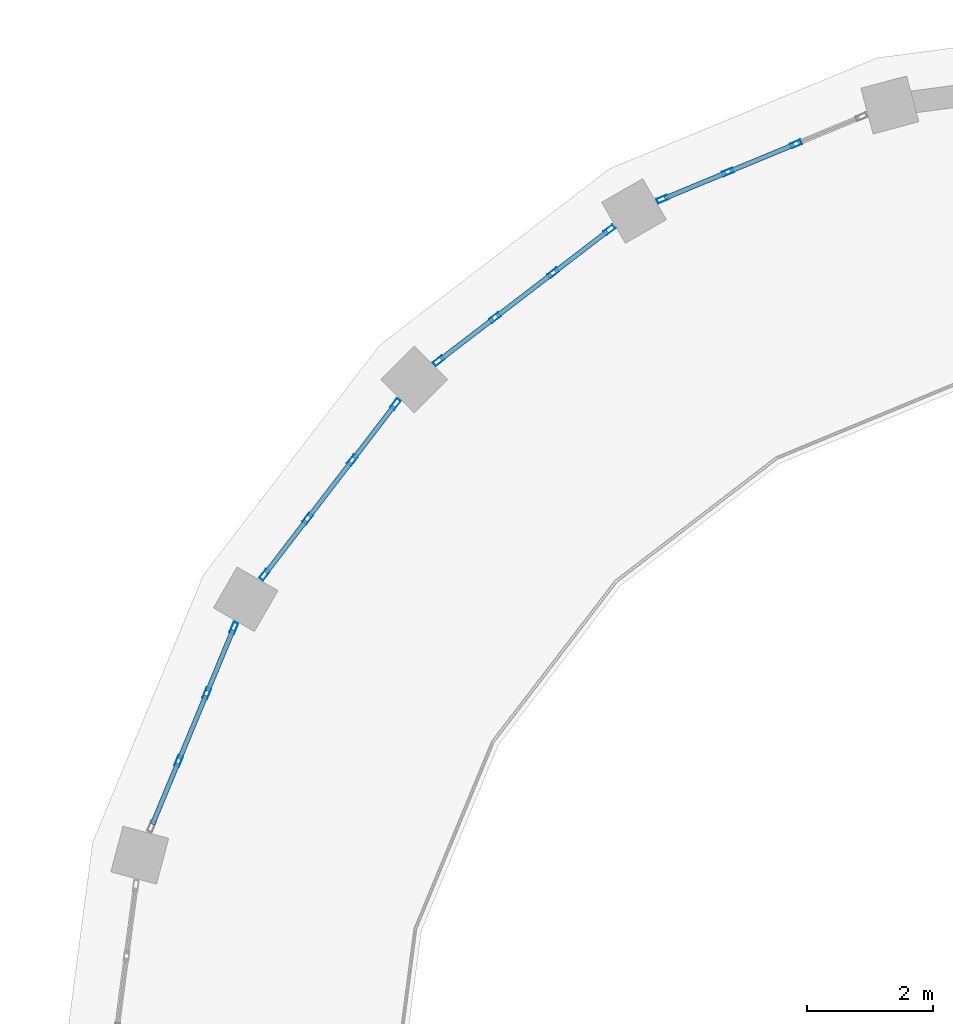
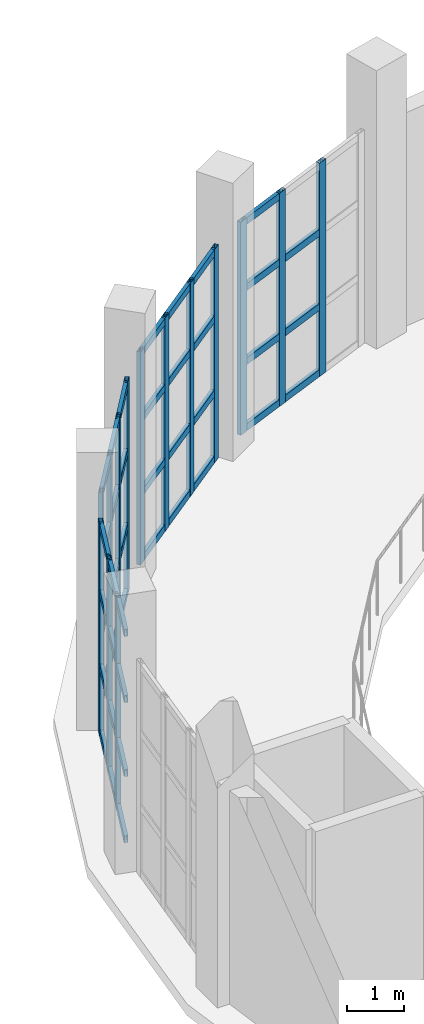
# One storey, part 29 of 59: 57 members, 4 elements without a shape of their own.
"""IFC4 building model written with IfcOpenShell, lengths in metres."""

import ifcopenshell
import ifcopenshell.guid

model = None  # the IFC model being written
_history = None  # IfcOwnerHistory: only IFC2X3 demands one
_inside = {}  # id of a spatial element -> (the spatial element, [elements in it])
_under = {}  # id of a project, library or spatial element -> (it, [spatial elements below it])
_declared = {}  # id of a project -> (the project, [libraries it declares])
_typed = {}  # id of a type object -> (the type object, [elements of that type])
_made_of = {}  # id of a material, layer set ... -> (it, [elements and type objects made of it])


def new_model(schema):
    """Start an empty IFC model of exactly this schema.

    Asked for "IFC4X3", IfcOpenShell would pick the latest addendum, in which some entities
    have other attributes; the version numbers below select the first issue.
    IFC2X3 requires an IfcOwnerHistory on every rooted entity: one is made here for all.
    """
    global model, _history
    if schema == "IFC4X3":
        model = ifcopenshell.file(schema_version=(4, 3, 0, 0))
    else:
        model = ifcopenshell.file(schema=schema)
    _inside.clear()
    _under.clear()
    _declared.clear()
    _typed.clear()
    _made_of.clear()
    _history = None
    if model.schema == "IFC2X3":
        org = make("IfcOrganization", Name="unknown")
        user = make(
            "IfcPersonAndOrganization",
            ThePerson=make("IfcPerson", FamilyName="unknown"),
            TheOrganization=org,
        )
        app = make(
            "IfcApplication",
            ApplicationDeveloper=org,
            Version="unknown",
            ApplicationFullName="unknown",
            ApplicationIdentifier="unknown",
        )
        _history = make(
            "IfcOwnerHistory",
            OwningUser=user,
            OwningApplication=app,
            ChangeAction="ADDED",
            CreationDate=0,
        )
    return model


def make(cls, **values):
    """One entity of the class cls with the attributes given. An attribute that is None is left unset."""
    return model.create_entity(
        cls, **{name: value for name, value in values.items() if value is not None}
    )


def rooted(cls, **values):
    """An entity with a GlobalId (a new one), such as an element, a storey or a relation."""
    return make(cls, GlobalId=ifcopenshell.guid.new(), OwnerHistory=_history, **values)


def si_unit(unit_type, name, prefix=None):
    """IfcSIUnit, for example si_unit("LENGTHUNIT", "METRE", prefix="MILLI")."""
    return make("IfcSIUnit", UnitType=unit_type, Prefix=prefix, Name=name)


def assignment(units):
    """IfcUnitAssignment: the units of a project."""
    return None if units is None else make("IfcUnitAssignment", Units=units)


def point(xyz):
    """IfcCartesianPoint."""
    return None if xyz is None else make("IfcCartesianPoint", Coordinates=xyz)


def direction(xyz):
    """IfcDirection."""
    return None if xyz is None else make("IfcDirection", DirectionRatios=xyz)


def frame(location, z_axis=None, x_axis=None):
    """IfcAxis2Placement3D, a coordinate frame: its origin and axes. An axis left out is left unset."""
    return make(
        "IfcAxis2Placement3D",
        Location=point(location),
        Axis=direction(z_axis),
        RefDirection=direction(x_axis),
    )


def frame_2d(location, x_axis=None):
    """IfcAxis2Placement2D, a coordinate frame in the plane: its origin and x axis."""
    return make(
        "IfcAxis2Placement2D", Location=point(location), RefDirection=direction(x_axis)
    )


def origin():
    """The frame at (0, 0, 0) with its axes left unset."""
    return frame((0.0, 0.0, 0.0))


def origin_2d():
    """The frame at (0, 0) in the plane with its x axis left unset."""
    return frame_2d((0.0, 0.0))


def place(relative_to, where):
    """IfcLocalPlacement: puts the frame where relative to a parent placement (None: the world)."""
    return make(
        "IfcLocalPlacement", PlacementRelTo=relative_to, RelativePlacement=where
    )


def context(
    kind, dimensions, precision=None, world=None, true_north=None, identifier=None
):
    """IfcGeometricRepresentationContext, for example the 3D "Model" context."""
    return make(
        "IfcGeometricRepresentationContext",
        ContextIdentifier=identifier,
        ContextType=kind,
        CoordinateSpaceDimension=dimensions,
        Precision=precision,
        WorldCoordinateSystem=world,
        TrueNorth=true_north,
    )


def subcontext(parent, identifier, kind, view, scale=None):
    """IfcGeometricRepresentationSubContext, for example "Body" below "Model"."""
    return make(
        "IfcGeometricRepresentationSubContext",
        ContextIdentifier=identifier,
        ContextType=kind,
        ParentContext=parent,
        TargetScale=scale,
        TargetView=view,
    )


def project(units=None, contexts=None):
    """IfcProject with its units and contexts."""
    return rooted(
        "IfcProject",
        Name="project",
        RepresentationContexts=contexts,
        UnitsInContext=assignment(units),
    )


def spatial(cls, under=None, at=None, **own):
    """A site, building, storey or space (cls), placed at a placement, below another one or the project."""
    s = rooted(cls, ObjectPlacement=at, **own)
    if under is not None:
        _under.setdefault(under.id(), (under, []))[1].append(s)
    return s


def profile(cls, at=None, kind="AREA", **sizes):
    """A parametric profile (cls). Its sizes go by their IFC names, for example OverallWidth=200.0."""
    return make(cls, ProfileType=kind, Position=at, **sizes)


def hollow_rectangle(**sizes):
    """IfcRectangleHollowProfileDef."""
    return profile("IfcRectangleHollowProfileDef", **sizes)


def extrude(swept, where, along, depth):
    """IfcExtrudedAreaSolid: the profile swept, set in the frame where, extruded along a direction by depth."""
    return make(
        "IfcExtrudedAreaSolid",
        SweptArea=swept,
        Position=where,
        ExtrudedDirection=direction(along),
        Depth=depth,
    )


def shape(context_of_items, identifier, shape_type, items):
    """IfcShapeRepresentation: the items that make up one representation, for example the "Body"."""
    return make(
        "IfcShapeRepresentation",
        ContextOfItems=context_of_items,
        RepresentationIdentifier=identifier,
        RepresentationType=shape_type,
        Items=items,
    )


def material(Name=None, Category=None):
    """IfcMaterial."""
    return make("IfcMaterial", Name=Name, Category=Category)


def layer(
    of_material, thickness, ventilated=None, Name=None, Category=None, Priority=None
):
    """IfcMaterialLayer: one layer of a wall or slab, of a material (None: an air gap)."""
    return make(
        "IfcMaterialLayer",
        Material=of_material,
        LayerThickness=thickness,
        IsVentilated=ventilated,
        Name=Name,
        Category=Category,
        Priority=Priority,
    )


def layer_set(layers, Name=None):
    """IfcMaterialLayerSet."""
    return make("IfcMaterialLayerSet", MaterialLayers=layers, LayerSetName=Name)


def material_profile(
    of_material, cross_section, Name=None, Category=None, Priority=None
):
    """IfcMaterialProfile: a cross section and its material."""
    return make(
        "IfcMaterialProfile",
        Name=Name,
        Material=of_material,
        Profile=cross_section,
        Priority=Priority,
        Category=Category,
    )


def profile_set(profiles, Name=None, composite=None):
    """IfcMaterialProfileSet."""
    return make(
        "IfcMaterialProfileSet",
        Name=Name,
        MaterialProfiles=profiles,
        CompositeProfile=composite,
    )


def made_of(thing, what):
    """Note that an element or type object is made of a material, layer set ...; save() writes the relation."""
    if what is not None:
        _made_of.setdefault(what.id(), (what, []))[1].append(thing)
    return thing


def type_object(cls, material=None, **own):
    """A type object (cls), such as IfcWallType, which elements share."""
    return made_of(rooted(cls, **own), material)


def element(
    cls,
    number,
    at=None,
    inside=None,
    cuts=None,
    type_object=None,
    material=None,
    context=None,
    identifier="Body",
    shape_type=None,
    held_by="IfcProductDefinitionShape",
    body=None,
    shapes=None,
    **own,
):
    """One element of the class cls, such as IfcWall. Its Tag is "e" and its number.

    at: its placement. inside: the storey or other place that contains it. cuts: it is an
    opening in that element (IfcRelVoidsElement). A single representation is given by context,
    identifier, shape_type and body (its items); several are given by shapes. held_by: the class
    of the entity that holds the representations. save() writes the other relations.
    """
    e = rooted(cls, Tag="e%d" % number, ObjectPlacement=at, **own)
    if body is not None:
        shapes = [shape(context, identifier, shape_type, body)]
    if shapes is not None:
        e.Representation = make(held_by, Representations=shapes)
    if inside is not None:
        _inside.setdefault(inside.id(), (inside, []))[1].append(e)
    if cuts is not None:
        rooted(
            "IfcRelVoidsElement", RelatingBuildingElement=cuts, RelatedOpeningElement=e
        )
    if type_object is not None:
        _typed.setdefault(type_object.id(), (type_object, []))[1].append(e)
    return made_of(e, material)


def aggregate(whole, parts):
    """IfcRelAggregates: a whole, such as a stair, and the parts it consists of."""
    return rooted("IfcRelAggregates", RelatingObject=whole, RelatedObjects=parts)


def save(model, path):
    """Write the relations noted so far, then the file.

    IfcRelAggregates (storeys below a building ...), IfcRelContainedInSpatialStructure (elements
    in a storey), IfcRelDefinesByType, IfcRelAssociatesMaterial and IfcRelDeclares: one each for
    every whole, place, type object, material and project.
    """
    for whole, parts in _under.values():
        aggregate(whole, parts)
    for where, things in _inside.values():
        rooted(
            "IfcRelContainedInSpatialStructure",
            RelatedElements=things,
            RelatingStructure=where,
        )
    for kind, things in _typed.values():
        rooted("IfcRelDefinesByType", RelatedObjects=things, RelatingType=kind)
    for what, things in _made_of.values():
        rooted("IfcRelAssociatesMaterial", RelatedObjects=things, RelatingMaterial=what)
    for by, libraries in _declared.values():
        rooted("IfcRelDeclares", RelatingContext=by, RelatedDefinitions=libraries)
    model.write(path)


model = new_model("IFC4")

# Units and contexts
model_context = context("Model", 3, precision=1e-05, world=origin(), true_north=direction((0.0, 1.0)))
body_context = subcontext(model_context, "Body", "Model", "MODEL_VIEW")
ifc_project = project(units=[si_unit("LENGTHUNIT", "METRE"), si_unit("AREAUNIT", "SQUARE_METRE"), si_unit("VOLUMEUNIT", "CUBIC_METRE"), si_unit("PLANEANGLEUNIT", "RADIAN"), si_unit("MASSUNIT", "GRAM", prefix="KILO")], contexts=[model_context])

# Site, building, storey
site_placement = place(None, origin())
site = spatial("IfcSite", under=ifc_project, at=site_placement, CompositionType="ELEMENT")
building_placement = place(site_placement, origin())
building = spatial("IfcBuilding", under=site, at=building_placement, Name="Kandorven Conservatory and Botanical Research Centre", CompositionType="ELEMENT")
storey_placement = place(building_placement, frame((0.0, 0.0, 4.800048828125)))
storey = spatial("IfcBuildingStorey", under=building, at=storey_placement, Name="L01", CompositionType="ELEMENT", Elevation=4.800048828125)

# Curtain wall, members
ifc_material_1 = material(Name="Bronze anodised thermally broken aluminium", Category="aluminium")
ifc_layer = layer(ifc_material_1, 0.179931640625)
ifc_layer_set = layer_set([ifc_layer], Name="Bronze anodised thermally broken aluminium")
curtain_wall_type = type_object("IfcCurtainWallType", Name="CW_Clerestory", PredefinedType="USERDEFINED", material=ifc_layer_set)
curtain_wall_1_placement = place(storey_placement, origin())
curtain_wall_1 = element("IfcCurtainWall", 1, at=curtain_wall_1_placement, inside=storey, type_object=curtain_wall_type, Name="Conservatory drum clerestory glazing CW-DRUM-L01-08", ObjectType="CLERESTORY GLAZING", PredefinedType="USERDEFINED")
ifc_material_2 = material(Name="Bronze anodised thermally broken aluminium", Category="aluminium")
ifc_material_profile_1 = material_profile(ifc_material_2, hollow_rectangle(XDim=0.080078125, YDim=0.179931640625, WallThickness=0.006103515625, at=origin_2d()))
ifc_profile_set_1 = profile_set([ifc_material_profile_1], Name="Bronze anodised thermally broken aluminium")
member_type_1 = type_object("IfcMemberType", Name="CW_Mullion", PredefinedType="MULLION", material=ifc_profile_set_1)
member_1_placement = place(storey_placement, frame((81.754150390625, 63.43408203125, 0.0), z_axis=(0.0, 0.0, 1.0), x_axis=(0.382668753353, -0.92388561262, 0.0)))
member_1 = element("IfcMember", 2, at=member_1_placement, type_object=member_type_1, Name="CW-02 mullion 2", PredefinedType="MULLION", context=body_context, shape_type="SweptSolid", body=[
    extrude(hollow_rectangle(XDim=0.080078125, YDim=0.179931640625, WallThickness=0.006103515625, at=origin_2d()), origin(), (0.0, 0.0, 1.0), 4.599853515625),
])
member_2_placement = place(storey_placement, frame((80.6787109375, 62.988525390625, 0.0), z_axis=(0.0, 0.0, 1.0), x_axis=(0.382668753353, -0.92388561262, 0.0)))
member_2 = element("IfcMember", 3, at=member_2_placement, type_object=member_type_1, Name="CW-02 mullion 3", PredefinedType="MULLION", context=body_context, shape_type="SweptSolid", body=[
    extrude(hollow_rectangle(XDim=0.080078125, YDim=0.179931640625, WallThickness=0.006103515625, at=origin_2d()), origin(), (0.0, 0.0, 1.0), 4.599853515625),
])
member_3_placement = place(storey_placement, frame((79.64013671875, 62.558349609375, 0.0), z_axis=(0.0, 0.0, 1.0), x_axis=(0.382668753353, -0.92388561262, 0.0)))
member_3 = element("IfcMember", 4, at=member_3_placement, type_object=member_type_1, Name="CW-02 mullion 4", PredefinedType="MULLION", context=body_context, shape_type="SweptSolid", body=[
    extrude(hollow_rectangle(XDim=0.080078125, YDim=0.179931640625, WallThickness=0.006103515625, at=origin_2d()), origin(), (0.0, 0.0, 1.0), 4.599853515625),
])

curtain_wall_2_placement = place(storey_placement, origin())
curtain_wall_2 = element("IfcCurtainWall", 5, at=curtain_wall_2_placement, inside=storey, type_object=curtain_wall_type, Name="Conservatory drum clerestory glazing CW-DRUM-L01-09", ObjectType="CLERESTORY GLAZING", PredefinedType="USERDEFINED")
member_4_placement = place(storey_placement, frame((78.798828125, 62.07275390625, 0.0), z_axis=(0.0, 0.0, 1.0), x_axis=(0.608769331471, -0.793347276456, 0.0)))
member_4 = element("IfcMember", 6, at=member_4_placement, type_object=member_type_1, Name="CW-02 mullion 1", PredefinedType="MULLION", context=body_context, shape_type="SweptSolid", body=[
    extrude(hollow_rectangle(XDim=0.080078125, YDim=0.179931640625, WallThickness=0.006103515625, at=origin_2d()), origin(), (0.0, 0.0, 1.0), 4.599853515625),
])
member_5_placement = place(storey_placement, frame((77.906982421875, 61.388427734375, 0.0), z_axis=(0.0, 0.0, 1.0), x_axis=(0.608769331471, -0.793347276456, 0.0)))
member_5 = element("IfcMember", 7, at=member_5_placement, type_object=member_type_1, Name="CW-02 mullion 2", PredefinedType="MULLION", context=body_context, shape_type="SweptSolid", body=[
    extrude(hollow_rectangle(XDim=0.080078125, YDim=0.179931640625, WallThickness=0.006103515625, at=origin_2d()), origin(), (0.0, 0.0, 1.0), 4.599853515625),
])
member_6_placement = place(storey_placement, frame((76.9833984375, 60.6796875, 0.0), z_axis=(0.0, 0.0, 1.0), x_axis=(0.608769331471, -0.793347276456, 0.0)))
member_6 = element("IfcMember", 8, at=member_6_placement, type_object=member_type_1, Name="CW-02 mullion 3", PredefinedType="MULLION", context=body_context, shape_type="SweptSolid", body=[
    extrude(hollow_rectangle(XDim=0.080078125, YDim=0.179931640625, WallThickness=0.006103515625, at=origin_2d()), origin(), (0.0, 0.0, 1.0), 4.599853515625),
])
member_7_placement = place(storey_placement, frame((76.091552734375, 59.995361328125, 0.0), z_axis=(0.0, 0.0, 1.0), x_axis=(0.608769331471, -0.793347276456, 0.0)))
member_7 = element("IfcMember", 9, at=member_7_placement, type_object=member_type_1, Name="CW-02 mullion 4", PredefinedType="MULLION", context=body_context, shape_type="SweptSolid", body=[
    extrude(hollow_rectangle(XDim=0.080078125, YDim=0.179931640625, WallThickness=0.006103515625, at=origin_2d()), origin(), (0.0, 0.0, 1.0), 4.599853515625),
])

curtain_wall_3_placement = place(storey_placement, origin())
curtain_wall_3 = element("IfcCurtainWall", 10, at=curtain_wall_3_placement, inside=storey, type_object=curtain_wall_type, Name="Conservatory drum clerestory glazing CW-DRUM-L01-10", ObjectType="CLERESTORY GLAZING", PredefinedType="USERDEFINED")
member_8_placement = place(storey_placement, frame((75.404541015625, 59.308349609375, 0.0), z_axis=(0.0, 0.0, 1.0), x_axis=(0.793347276456, -0.608769331471, 0.0)))
member_8 = element("IfcMember", 11, at=member_8_placement, type_object=member_type_1, Name="CW-02 mullion 1", PredefinedType="MULLION", context=body_context, shape_type="SweptSolid", body=[
    extrude(hollow_rectangle(XDim=0.080078125, YDim=0.179931640625, WallThickness=0.006103515625, at=origin_2d()), origin(), (0.0, 0.0, 1.0), 4.599853515625),
])
member_9_placement = place(storey_placement, frame((74.72021484375, 58.41650390625, 0.0), z_axis=(0.0, 0.0, 1.0), x_axis=(0.793347276456, -0.608769331471, 0.0)))
member_9 = element("IfcMember", 12, at=member_9_placement, type_object=member_type_1, Name="CW-02 mullion 2", PredefinedType="MULLION", context=body_context, shape_type="SweptSolid", body=[
    extrude(hollow_rectangle(XDim=0.080078125, YDim=0.179931640625, WallThickness=0.006103515625, at=origin_2d()), origin(), (0.0, 0.0, 1.0), 4.599853515625),
])
member_10_placement = place(storey_placement, frame((74.01171875, 57.492919921875, 0.0), z_axis=(0.0, 0.0, 1.0), x_axis=(0.793347276456, -0.608769331471, 0.0)))
member_10 = element("IfcMember", 13, at=member_10_placement, type_object=member_type_1, Name="CW-02 mullion 3", PredefinedType="MULLION", context=body_context, shape_type="SweptSolid", body=[
    extrude(hollow_rectangle(XDim=0.080078125, YDim=0.179931640625, WallThickness=0.006103515625, at=origin_2d()), origin(), (0.0, 0.0, 1.0), 4.599853515625),
])
member_11_placement = place(storey_placement, frame((73.327392578125, 56.601318359375, 0.0), z_axis=(0.0, 0.0, 1.0), x_axis=(0.793347276456, -0.608769331471, 0.0)))
member_11 = element("IfcMember", 14, at=member_11_placement, type_object=member_type_1, Name="CW-02 mullion 4", PredefinedType="MULLION", context=body_context, shape_type="SweptSolid", body=[
    extrude(hollow_rectangle(XDim=0.080078125, YDim=0.179931640625, WallThickness=0.006103515625, at=origin_2d()), origin(), (0.0, 0.0, 1.0), 4.599853515625),
])

curtain_wall_4_placement = place(storey_placement, origin())
curtain_wall_4 = element("IfcCurtainWall", 15, at=curtain_wall_4_placement, inside=storey, type_object=curtain_wall_type, Name="Conservatory drum clerestory glazing CW-DRUM-L01-11", ObjectType="CLERESTORY GLAZING", PredefinedType="USERDEFINED")
member_12_placement = place(storey_placement, frame((72.841552734375, 55.759765625, 0.0), z_axis=(0.0, 0.0, 1.0), x_axis=(0.92388561262, -0.382668753353, 0.0)))
member_12 = element("IfcMember", 16, at=member_12_placement, type_object=member_type_1, Name="CW-02 mullion 1", PredefinedType="MULLION", context=body_context, shape_type="SweptSolid", body=[
    extrude(hollow_rectangle(XDim=0.080078125, YDim=0.179931640625, WallThickness=0.006103515625, at=origin_2d()), origin(), (0.0, 0.0, 1.0), 4.599853515625),
])
member_13_placement = place(storey_placement, frame((72.411376953125, 54.72119140625, 0.0), z_axis=(0.0, 0.0, 1.0), x_axis=(0.92388561262, -0.382668753353, 0.0)))
member_13 = element("IfcMember", 17, at=member_13_placement, type_object=member_type_1, Name="CW-02 mullion 2", PredefinedType="MULLION", context=body_context, shape_type="SweptSolid", body=[
    extrude(hollow_rectangle(XDim=0.080078125, YDim=0.179931640625, WallThickness=0.006103515625, at=origin_2d()), origin(), (0.0, 0.0, 1.0), 4.599853515625),
])
member_14_placement = place(storey_placement, frame((71.966064453125, 53.645751953125, 0.0), z_axis=(0.0, 0.0, 1.0), x_axis=(0.92388561262, -0.382668753353, 0.0)))
member_14 = element("IfcMember", 18, at=member_14_placement, type_object=member_type_1, Name="CW-02 mullion 3", PredefinedType="MULLION", context=body_context, shape_type="SweptSolid", body=[
    extrude(hollow_rectangle(XDim=0.080078125, YDim=0.179931640625, WallThickness=0.006103515625, at=origin_2d()), origin(), (0.0, 0.0, 1.0), 4.599853515625),
])

# Member
ifc_material_3 = material(Name="Bronze anodised thermally broken aluminium", Category="aluminium")
ifc_material_profile_2 = material_profile(ifc_material_3, hollow_rectangle(XDim=0.074951171875, YDim=0.14990234375, WallThickness=0.006103515625, at=origin_2d()))
ifc_profile_set_2 = profile_set([ifc_material_profile_2], Name="Bronze anodised thermally broken aluminium")
member_type_2 = type_object("IfcMemberType", Name="CW_Transom", PredefinedType="USERDEFINED", material=ifc_profile_set_2)
member_15_placement = place(storey_placement, frame((81.71728515625, 63.418701171875, 0.074951171875), z_axis=(-0.923920786696, -0.382583820765, 0.0), x_axis=(0.382583820765, -0.923920786696, 0.0)))
member_15 = element("IfcMember", 19, at=member_15_placement, type_object=member_type_2, Name="CW-02 transom 2.1", ObjectType="TRANSOM", PredefinedType="USERDEFINED", context=body_context, shape_type="SweptSolid", body=[
    extrude(hollow_rectangle(XDim=0.074951171875, YDim=0.14990234375, WallThickness=0.006103515625, at=origin_2d()), origin(), (0.0, 0.0, 1.0), 1.084228515625),
])

member_16_placement = place(storey_placement, frame((81.71728515625, 63.418701171875, 1.5), z_axis=(-0.923920786696, -0.382583820765, 0.0), x_axis=(0.382583820765, -0.923920786696, 0.0)))
member_16 = element("IfcMember", 20, at=member_16_placement, type_object=member_type_2, Name="CW-02 transom 2.2", ObjectType="TRANSOM", PredefinedType="USERDEFINED", context=body_context, shape_type="SweptSolid", body=[
    extrude(hollow_rectangle(XDim=0.074951171875, YDim=0.14990234375, WallThickness=0.006103515625, at=origin_2d()), origin(), (0.0, 0.0, 1.0), 1.084228515625),
])

member_17_placement = place(storey_placement, frame((81.71728515625, 63.418701171875, 3.099853515625), z_axis=(-0.923920786696, -0.382583820765, 0.0), x_axis=(0.382583820765, -0.923920786696, 0.0)))
member_17 = element("IfcMember", 21, at=member_17_placement, type_object=member_type_2, Name="CW-02 transom 2.3", ObjectType="TRANSOM", PredefinedType="USERDEFINED", context=body_context, shape_type="SweptSolid", body=[
    extrude(hollow_rectangle(XDim=0.074951171875, YDim=0.14990234375, WallThickness=0.006103515625, at=origin_2d()), origin(), (0.0, 0.0, 1.0), 1.084228515625),
])

member_18_placement = place(storey_placement, frame((80.641845703125, 62.97314453125, 0.074951171875), z_axis=(-0.923959856763, -0.382489454875, 0.0), x_axis=(0.382489454875, -0.923959856763, 0.0)))
member_18 = element("IfcMember", 22, at=member_18_placement, type_object=member_type_2, Name="CW-02 transom 3.1", ObjectType="TRANSOM", PredefinedType="USERDEFINED", context=body_context, shape_type="SweptSolid", body=[
    extrude(hollow_rectangle(XDim=0.074951171875, YDim=0.14990234375, WallThickness=0.006103515625, at=origin_2d()), origin(), (0.0, 0.0, 1.0), 1.044189453125),
])

member_19_placement = place(storey_placement, frame((80.641845703125, 62.97314453125, 1.5), z_axis=(-0.923959856763, -0.382489454875, 0.0), x_axis=(0.382489454875, -0.923959856763, 0.0)))
member_19 = element("IfcMember", 23, at=member_19_placement, type_object=member_type_2, Name="CW-02 transom 3.2", ObjectType="TRANSOM", PredefinedType="USERDEFINED", context=body_context, shape_type="SweptSolid", body=[
    extrude(hollow_rectangle(XDim=0.074951171875, YDim=0.14990234375, WallThickness=0.006103515625, at=origin_2d()), origin(), (0.0, 0.0, 1.0), 1.044189453125),
])

member_20_placement = place(storey_placement, frame((80.641845703125, 62.97314453125, 3.099853515625), z_axis=(-0.923959856763, -0.382489454875, 0.0), x_axis=(0.382489454875, -0.923959856763, 0.0)))
member_20 = element("IfcMember", 24, at=member_20_placement, type_object=member_type_2, Name="CW-02 transom 3.3", ObjectType="TRANSOM", PredefinedType="USERDEFINED", context=body_context, shape_type="SweptSolid", body=[
    extrude(hollow_rectangle(XDim=0.074951171875, YDim=0.14990234375, WallThickness=0.006103515625, at=origin_2d()), origin(), (0.0, 0.0, 1.0), 1.044189453125),
])

member_21_placement = place(storey_placement, frame((80.641845703125, 62.97314453125, 4.52490234375), z_axis=(-0.923959856763, -0.382489454875, 0.0), x_axis=(0.382489454875, -0.923959856763, 0.0)))
member_21 = element("IfcMember", 25, at=member_21_placement, type_object=member_type_2, Name="CW-02 transom 3.4", ObjectType="TRANSOM", PredefinedType="USERDEFINED", context=body_context, shape_type="SweptSolid", body=[
    extrude(hollow_rectangle(XDim=0.074951171875, YDim=0.14990234375, WallThickness=0.006103515625, at=origin_2d()), origin(), (0.0, 0.0, 1.0), 1.044189453125),
])

aggregate(curtain_wall_1, [member_1, member_2, member_3, member_15, member_16, member_17, member_18, member_19, member_20, member_21])

member_22_placement = place(storey_placement, frame((78.76708984375, 62.04833984375, 0.074951171875), z_axis=(-0.793301447628, -0.608829050876, 0.0), x_axis=(0.608829050876, -0.793301447628, 0.0)))
member_22 = element("IfcMember", 26, at=member_22_placement, type_object=member_type_2, Name="CW-02 transom 1.1", ObjectType="TRANSOM", PredefinedType="USERDEFINED", context=body_context, shape_type="SweptSolid", body=[
    extrude(hollow_rectangle(XDim=0.074951171875, YDim=0.14990234375, WallThickness=0.006103515625, at=origin_2d()), origin(), (0.0, 0.0, 1.0), 1.044189453125),
])

member_23_placement = place(storey_placement, frame((78.76708984375, 62.04833984375, 1.5), z_axis=(-0.793301447628, -0.608829050876, 0.0), x_axis=(0.608829050876, -0.793301447628, 0.0)))
member_23 = element("IfcMember", 27, at=member_23_placement, type_object=member_type_2, Name="CW-02 transom 1.2", ObjectType="TRANSOM", PredefinedType="USERDEFINED", context=body_context, shape_type="SweptSolid", body=[
    extrude(hollow_rectangle(XDim=0.074951171875, YDim=0.14990234375, WallThickness=0.006103515625, at=origin_2d()), origin(), (0.0, 0.0, 1.0), 1.044189453125),
])

member_24_placement = place(storey_placement, frame((78.76708984375, 62.04833984375, 3.099853515625), z_axis=(-0.793301447628, -0.608829050876, 0.0), x_axis=(0.608829050876, -0.793301447628, 0.0)))
member_24 = element("IfcMember", 28, at=member_24_placement, type_object=member_type_2, Name="CW-02 transom 1.3", ObjectType="TRANSOM", PredefinedType="USERDEFINED", context=body_context, shape_type="SweptSolid", body=[
    extrude(hollow_rectangle(XDim=0.074951171875, YDim=0.14990234375, WallThickness=0.006103515625, at=origin_2d()), origin(), (0.0, 0.0, 1.0), 1.044189453125),
])

member_25_placement = place(storey_placement, frame((78.76708984375, 62.04833984375, 4.52490234375), z_axis=(-0.793301447628, -0.608829050876, 0.0), x_axis=(0.608829050876, -0.793301447628, 0.0)))
member_25 = element("IfcMember", 29, at=member_25_placement, type_object=member_type_2, Name="CW-02 transom 1.4", ObjectType="TRANSOM", PredefinedType="USERDEFINED", context=body_context, shape_type="SweptSolid", body=[
    extrude(hollow_rectangle(XDim=0.074951171875, YDim=0.14990234375, WallThickness=0.006103515625, at=origin_2d()), origin(), (0.0, 0.0, 1.0), 1.044189453125),
])

member_26_placement = place(storey_placement, frame((77.875244140625, 61.364013671875, 0.074951171875), z_axis=(-0.793385204739, -0.608719900201, 0.0), x_axis=(0.608719900201, -0.793385204739, 0.0)))
member_26 = element("IfcMember", 30, at=member_26_placement, type_object=member_type_2, Name="CW-02 transom 2.1", ObjectType="TRANSOM", PredefinedType="USERDEFINED", context=body_context, shape_type="SweptSolid", body=[
    extrude(hollow_rectangle(XDim=0.074951171875, YDim=0.14990234375, WallThickness=0.006103515625, at=origin_2d()), origin(), (0.0, 0.0, 1.0), 1.083984375),
])

member_27_placement = place(storey_placement, frame((77.875244140625, 61.364013671875, 1.5), z_axis=(-0.793385204739, -0.608719900201, 0.0), x_axis=(0.608719900201, -0.793385204739, 0.0)))
member_27 = element("IfcMember", 31, at=member_27_placement, type_object=member_type_2, Name="CW-02 transom 2.2", ObjectType="TRANSOM", PredefinedType="USERDEFINED", context=body_context, shape_type="SweptSolid", body=[
    extrude(hollow_rectangle(XDim=0.074951171875, YDim=0.14990234375, WallThickness=0.006103515625, at=origin_2d()), origin(), (0.0, 0.0, 1.0), 1.083984375),
])

member_28_placement = place(storey_placement, frame((77.875244140625, 61.364013671875, 3.099853515625), z_axis=(-0.793385204739, -0.608719900201, 0.0), x_axis=(0.608719900201, -0.793385204739, 0.0)))
member_28 = element("IfcMember", 32, at=member_28_placement, type_object=member_type_2, Name="CW-02 transom 2.3", ObjectType="TRANSOM", PredefinedType="USERDEFINED", context=body_context, shape_type="SweptSolid", body=[
    extrude(hollow_rectangle(XDim=0.074951171875, YDim=0.14990234375, WallThickness=0.006103515625, at=origin_2d()), origin(), (0.0, 0.0, 1.0), 1.083984375),
])

member_29_placement = place(storey_placement, frame((77.875244140625, 61.364013671875, 4.52490234375), z_axis=(-0.793385204739, -0.608719900201, 0.0), x_axis=(0.608719900201, -0.793385204739, 0.0)))
member_29 = element("IfcMember", 33, at=member_29_placement, type_object=member_type_2, Name="CW-02 transom 2.4", ObjectType="TRANSOM", PredefinedType="USERDEFINED", context=body_context, shape_type="SweptSolid", body=[
    extrude(hollow_rectangle(XDim=0.074951171875, YDim=0.14990234375, WallThickness=0.006103515625, at=origin_2d()), origin(), (0.0, 0.0, 1.0), 1.083984375),
])

member_30_placement = place(storey_placement, frame((76.95166015625, 60.6552734375, 0.074951171875), z_axis=(-0.793414374508, -0.608681879412, 0.0), x_axis=(0.608681879412, -0.793414374508, 0.0)))
member_30 = element("IfcMember", 34, at=member_30_placement, type_object=member_type_2, Name="CW-02 transom 3.1", ObjectType="TRANSOM", PredefinedType="USERDEFINED", context=body_context, shape_type="SweptSolid", body=[
    extrude(hollow_rectangle(XDim=0.074951171875, YDim=0.14990234375, WallThickness=0.006103515625, at=origin_2d()), origin(), (0.0, 0.0, 1.0), 1.0439453125),
])

member_31_placement = place(storey_placement, frame((76.95166015625, 60.6552734375, 1.5), z_axis=(-0.793414374508, -0.608681879412, 0.0), x_axis=(0.608681879412, -0.793414374508, 0.0)))
member_31 = element("IfcMember", 35, at=member_31_placement, type_object=member_type_2, Name="CW-02 transom 3.2", ObjectType="TRANSOM", PredefinedType="USERDEFINED", context=body_context, shape_type="SweptSolid", body=[
    extrude(hollow_rectangle(XDim=0.074951171875, YDim=0.14990234375, WallThickness=0.006103515625, at=origin_2d()), origin(), (0.0, 0.0, 1.0), 1.0439453125),
])

member_32_placement = place(storey_placement, frame((76.95166015625, 60.6552734375, 3.099853515625), z_axis=(-0.793414374508, -0.608681879412, 0.0), x_axis=(0.608681879412, -0.793414374508, 0.0)))
member_32 = element("IfcMember", 36, at=member_32_placement, type_object=member_type_2, Name="CW-02 transom 3.3", ObjectType="TRANSOM", PredefinedType="USERDEFINED", context=body_context, shape_type="SweptSolid", body=[
    extrude(hollow_rectangle(XDim=0.074951171875, YDim=0.14990234375, WallThickness=0.006103515625, at=origin_2d()), origin(), (0.0, 0.0, 1.0), 1.0439453125),
])

member_33_placement = place(storey_placement, frame((76.95166015625, 60.6552734375, 4.52490234375), z_axis=(-0.793414374508, -0.608681879412, 0.0), x_axis=(0.608681879412, -0.793414374508, 0.0)))
member_33 = element("IfcMember", 37, at=member_33_placement, type_object=member_type_2, Name="CW-02 transom 3.4", ObjectType="TRANSOM", PredefinedType="USERDEFINED", context=body_context, shape_type="SweptSolid", body=[
    extrude(hollow_rectangle(XDim=0.074951171875, YDim=0.14990234375, WallThickness=0.006103515625, at=origin_2d()), origin(), (0.0, 0.0, 1.0), 1.0439453125),
])

aggregate(curtain_wall_2, [member_4, member_5, member_6, member_7, member_22, member_23, member_24, member_25, member_26, member_27, member_28, member_29, member_30, member_31, member_32, member_33])

member_34_placement = place(storey_placement, frame((75.38037109375, 59.276611328125, 0.074951171875), z_axis=(-0.608829050876, -0.793301447628, 0.0), x_axis=(0.793301447628, -0.608829050876, 0.0)))
member_34 = element("IfcMember", 38, at=member_34_placement, type_object=member_type_2, Name="CW-02 transom 1.1", ObjectType="TRANSOM", PredefinedType="USERDEFINED", context=body_context, shape_type="SweptSolid", body=[
    extrude(hollow_rectangle(XDim=0.074951171875, YDim=0.14990234375, WallThickness=0.006103515625, at=origin_2d()), origin(), (0.0, 0.0, 1.0), 1.044189453125),
])

member_35_placement = place(storey_placement, frame((75.38037109375, 59.276611328125, 1.5), z_axis=(-0.608829050876, -0.793301447628, 0.0), x_axis=(0.793301447628, -0.608829050876, 0.0)))
member_35 = element("IfcMember", 39, at=member_35_placement, type_object=member_type_2, Name="CW-02 transom 1.2", ObjectType="TRANSOM", PredefinedType="USERDEFINED", context=body_context, shape_type="SweptSolid", body=[
    extrude(hollow_rectangle(XDim=0.074951171875, YDim=0.14990234375, WallThickness=0.006103515625, at=origin_2d()), origin(), (0.0, 0.0, 1.0), 1.044189453125),
])

member_36_placement = place(storey_placement, frame((75.38037109375, 59.276611328125, 3.099853515625), z_axis=(-0.608829050876, -0.793301447628, 0.0), x_axis=(0.793301447628, -0.608829050876, 0.0)))
member_36 = element("IfcMember", 40, at=member_36_placement, type_object=member_type_2, Name="CW-02 transom 1.3", ObjectType="TRANSOM", PredefinedType="USERDEFINED", context=body_context, shape_type="SweptSolid", body=[
    extrude(hollow_rectangle(XDim=0.074951171875, YDim=0.14990234375, WallThickness=0.006103515625, at=origin_2d()), origin(), (0.0, 0.0, 1.0), 1.044189453125),
])

member_37_placement = place(storey_placement, frame((75.38037109375, 59.276611328125, 4.52490234375), z_axis=(-0.608829050876, -0.793301447628, 0.0), x_axis=(0.793301447628, -0.608829050876, 0.0)))
member_37 = element("IfcMember", 41, at=member_37_placement, type_object=member_type_2, Name="CW-02 transom 1.4", ObjectType="TRANSOM", PredefinedType="USERDEFINED", context=body_context, shape_type="SweptSolid", body=[
    extrude(hollow_rectangle(XDim=0.074951171875, YDim=0.14990234375, WallThickness=0.006103515625, at=origin_2d()), origin(), (0.0, 0.0, 1.0), 1.044189453125),
])

member_38_placement = place(storey_placement, frame((74.696044921875, 58.384765625, 0.074951171875), z_axis=(-0.608719900201, -0.793385204739, 0.0), x_axis=(0.793385204739, -0.608719900201, 0.0)))
member_38 = element("IfcMember", 42, at=member_38_placement, type_object=member_type_2, Name="CW-02 transom 2.1", ObjectType="TRANSOM", PredefinedType="USERDEFINED", context=body_context, shape_type="SweptSolid", body=[
    extrude(hollow_rectangle(XDim=0.074951171875, YDim=0.14990234375, WallThickness=0.006103515625, at=origin_2d()), origin(), (0.0, 0.0, 1.0), 1.083984375),
])

member_39_placement = place(storey_placement, frame((74.696044921875, 58.384765625, 1.5), z_axis=(-0.608719900201, -0.793385204739, 0.0), x_axis=(0.793385204739, -0.608719900201, 0.0)))
member_39 = element("IfcMember", 43, at=member_39_placement, type_object=member_type_2, Name="CW-02 transom 2.2", ObjectType="TRANSOM", PredefinedType="USERDEFINED", context=body_context, shape_type="SweptSolid", body=[
    extrude(hollow_rectangle(XDim=0.074951171875, YDim=0.14990234375, WallThickness=0.006103515625, at=origin_2d()), origin(), (0.0, 0.0, 1.0), 1.083984375),
])

member_40_placement = place(storey_placement, frame((74.696044921875, 58.384765625, 3.099853515625), z_axis=(-0.608719900201, -0.793385204739, 0.0), x_axis=(0.793385204739, -0.608719900201, 0.0)))
member_40 = element("IfcMember", 44, at=member_40_placement, type_object=member_type_2, Name="CW-02 transom 2.3", ObjectType="TRANSOM", PredefinedType="USERDEFINED", context=body_context, shape_type="SweptSolid", body=[
    extrude(hollow_rectangle(XDim=0.074951171875, YDim=0.14990234375, WallThickness=0.006103515625, at=origin_2d()), origin(), (0.0, 0.0, 1.0), 1.083984375),
])

member_41_placement = place(storey_placement, frame((74.696044921875, 58.384765625, 4.52490234375), z_axis=(-0.608719900201, -0.793385204739, 0.0), x_axis=(0.793385204739, -0.608719900201, 0.0)))
member_41 = element("IfcMember", 45, at=member_41_placement, type_object=member_type_2, Name="CW-02 transom 2.4", ObjectType="TRANSOM", PredefinedType="USERDEFINED", context=body_context, shape_type="SweptSolid", body=[
    extrude(hollow_rectangle(XDim=0.074951171875, YDim=0.14990234375, WallThickness=0.006103515625, at=origin_2d()), origin(), (0.0, 0.0, 1.0), 1.083984375),
])

member_42_placement = place(storey_placement, frame((73.9873046875, 57.461181640625, 0.074951171875), z_axis=(-0.6087948235, -0.79332771468, 0.0), x_axis=(0.79332771468, -0.6087948235, 0.0)))
member_42 = element("IfcMember", 46, at=member_42_placement, type_object=member_type_2, Name="CW-02 transom 3.1", ObjectType="TRANSOM", PredefinedType="USERDEFINED", context=body_context, shape_type="SweptSolid", body=[
    extrude(hollow_rectangle(XDim=0.074951171875, YDim=0.14990234375, WallThickness=0.006103515625, at=origin_2d()), origin(), (0.0, 0.0, 1.0), 1.0439453125),
])

member_43_placement = place(storey_placement, frame((73.9873046875, 57.461181640625, 1.5), z_axis=(-0.6087948235, -0.79332771468, 0.0), x_axis=(0.79332771468, -0.6087948235, 0.0)))
member_43 = element("IfcMember", 47, at=member_43_placement, type_object=member_type_2, Name="CW-02 transom 3.2", ObjectType="TRANSOM", PredefinedType="USERDEFINED", context=body_context, shape_type="SweptSolid", body=[
    extrude(hollow_rectangle(XDim=0.074951171875, YDim=0.14990234375, WallThickness=0.006103515625, at=origin_2d()), origin(), (0.0, 0.0, 1.0), 1.0439453125),
])

member_44_placement = place(storey_placement, frame((73.9873046875, 57.461181640625, 3.099853515625), z_axis=(-0.6087948235, -0.79332771468, 0.0), x_axis=(0.79332771468, -0.6087948235, 0.0)))
member_44 = element("IfcMember", 48, at=member_44_placement, type_object=member_type_2, Name="CW-02 transom 3.3", ObjectType="TRANSOM", PredefinedType="USERDEFINED", context=body_context, shape_type="SweptSolid", body=[
    extrude(hollow_rectangle(XDim=0.074951171875, YDim=0.14990234375, WallThickness=0.006103515625, at=origin_2d()), origin(), (0.0, 0.0, 1.0), 1.0439453125),
])

member_45_placement = place(storey_placement, frame((73.9873046875, 57.461181640625, 4.52490234375), z_axis=(-0.6087948235, -0.79332771468, 0.0), x_axis=(0.79332771468, -0.6087948235, 0.0)))
member_45 = element("IfcMember", 49, at=member_45_placement, type_object=member_type_2, Name="CW-02 transom 3.4", ObjectType="TRANSOM", PredefinedType="USERDEFINED", context=body_context, shape_type="SweptSolid", body=[
    extrude(hollow_rectangle(XDim=0.074951171875, YDim=0.14990234375, WallThickness=0.006103515625, at=origin_2d()), origin(), (0.0, 0.0, 1.0), 1.0439453125),
])

aggregate(curtain_wall_3, [member_8, member_9, member_10, member_11, member_34, member_35, member_36, member_37, member_38, member_39, member_40, member_41, member_42, member_43, member_44, member_45])

member_46_placement = place(storey_placement, frame((72.826171875, 55.722900390625, 0.074951171875), z_axis=(-0.382572095676, -0.923925641819, 0.0), x_axis=(0.923925641819, -0.382572095676, 0.0)))
member_46 = element("IfcMember", 50, at=member_46_placement, type_object=member_type_2, Name="CW-02 transom 1.1", ObjectType="TRANSOM", PredefinedType="USERDEFINED", context=body_context, shape_type="SweptSolid", body=[
    extrude(hollow_rectangle(XDim=0.074951171875, YDim=0.14990234375, WallThickness=0.006103515625, at=origin_2d()), origin(), (0.0, 0.0, 1.0), 1.0439453125),
])

member_47_placement = place(storey_placement, frame((72.826171875, 55.722900390625, 1.5), z_axis=(-0.382572095676, -0.923925641819, 0.0), x_axis=(0.923925641819, -0.382572095676, 0.0)))
member_47 = element("IfcMember", 51, at=member_47_placement, type_object=member_type_2, Name="CW-02 transom 1.2", ObjectType="TRANSOM", PredefinedType="USERDEFINED", context=body_context, shape_type="SweptSolid", body=[
    extrude(hollow_rectangle(XDim=0.074951171875, YDim=0.14990234375, WallThickness=0.006103515625, at=origin_2d()), origin(), (0.0, 0.0, 1.0), 1.0439453125),
])

member_48_placement = place(storey_placement, frame((72.826171875, 55.722900390625, 3.099853515625), z_axis=(-0.382572095676, -0.923925641819, 0.0), x_axis=(0.923925641819, -0.382572095676, 0.0)))
member_48 = element("IfcMember", 52, at=member_48_placement, type_object=member_type_2, Name="CW-02 transom 1.3", ObjectType="TRANSOM", PredefinedType="USERDEFINED", context=body_context, shape_type="SweptSolid", body=[
    extrude(hollow_rectangle(XDim=0.074951171875, YDim=0.14990234375, WallThickness=0.006103515625, at=origin_2d()), origin(), (0.0, 0.0, 1.0), 1.0439453125),
])

member_49_placement = place(storey_placement, frame((72.826171875, 55.722900390625, 4.52490234375), z_axis=(-0.382572095676, -0.923925641819, 0.0), x_axis=(0.923925641819, -0.382572095676, 0.0)))
member_49 = element("IfcMember", 53, at=member_49_placement, type_object=member_type_2, Name="CW-02 transom 1.4", ObjectType="TRANSOM", PredefinedType="USERDEFINED", context=body_context, shape_type="SweptSolid", body=[
    extrude(hollow_rectangle(XDim=0.074951171875, YDim=0.14990234375, WallThickness=0.006103515625, at=origin_2d()), origin(), (0.0, 0.0, 1.0), 1.0439453125),
])

member_50_placement = place(storey_placement, frame((72.396240234375, 54.684326171875, 0.074951171875), z_axis=(-0.382855655763, -0.923808176436, 0.0), x_axis=(0.923808176436, -0.382855655763, 0.0)))
member_50 = element("IfcMember", 54, at=member_50_placement, type_object=member_type_2, Name="CW-02 transom 2.1", ObjectType="TRANSOM", PredefinedType="USERDEFINED", context=body_context, shape_type="SweptSolid", body=[
    extrude(hollow_rectangle(XDim=0.074951171875, YDim=0.14990234375, WallThickness=0.006103515625, at=origin_2d()), origin(), (0.0, 0.0, 1.0), 1.083984375),
])

member_51_placement = place(storey_placement, frame((72.396240234375, 54.684326171875, 1.5), z_axis=(-0.382855655763, -0.923808176436, 0.0), x_axis=(0.923808176436, -0.382855655763, 0.0)))
member_51 = element("IfcMember", 55, at=member_51_placement, type_object=member_type_2, Name="CW-02 transom 2.2", ObjectType="TRANSOM", PredefinedType="USERDEFINED", context=body_context, shape_type="SweptSolid", body=[
    extrude(hollow_rectangle(XDim=0.074951171875, YDim=0.14990234375, WallThickness=0.006103515625, at=origin_2d()), origin(), (0.0, 0.0, 1.0), 1.083984375),
])

member_52_placement = place(storey_placement, frame((72.396240234375, 54.684326171875, 3.099853515625), z_axis=(-0.382855655763, -0.923808176436, 0.0), x_axis=(0.923808176436, -0.382855655763, 0.0)))
member_52 = element("IfcMember", 56, at=member_52_placement, type_object=member_type_2, Name="CW-02 transom 2.3", ObjectType="TRANSOM", PredefinedType="USERDEFINED", context=body_context, shape_type="SweptSolid", body=[
    extrude(hollow_rectangle(XDim=0.074951171875, YDim=0.14990234375, WallThickness=0.006103515625, at=origin_2d()), origin(), (0.0, 0.0, 1.0), 1.083984375),
])

member_53_placement = place(storey_placement, frame((72.396240234375, 54.684326171875, 4.52490234375), z_axis=(-0.382855655763, -0.923808176436, 0.0), x_axis=(0.923808176436, -0.382855655763, 0.0)))
member_53 = element("IfcMember", 57, at=member_53_placement, type_object=member_type_2, Name="CW-02 transom 2.4", ObjectType="TRANSOM", PredefinedType="USERDEFINED", context=body_context, shape_type="SweptSolid", body=[
    extrude(hollow_rectangle(XDim=0.074951171875, YDim=0.14990234375, WallThickness=0.006103515625, at=origin_2d()), origin(), (0.0, 0.0, 1.0), 1.083984375),
])

member_54_placement = place(storey_placement, frame((71.95068359375, 53.60888671875, 0.074951171875), z_axis=(-0.382771688877, -0.923842970528, 0.0), x_axis=(0.923842970528, -0.382771688877, 0.0)))
member_54 = element("IfcMember", 58, at=member_54_placement, type_object=member_type_2, Name="CW-02 transom 3.1", ObjectType="TRANSOM", PredefinedType="USERDEFINED", context=body_context, shape_type="SweptSolid", body=[
    extrude(hollow_rectangle(XDim=0.074951171875, YDim=0.14990234375, WallThickness=0.006103515625, at=origin_2d()), origin(), (0.0, 0.0, 1.0), 1.044189453125),
])

member_55_placement = place(storey_placement, frame((71.95068359375, 53.60888671875, 1.5), z_axis=(-0.382771688877, -0.923842970528, 0.0), x_axis=(0.923842970528, -0.382771688877, 0.0)))
member_55 = element("IfcMember", 59, at=member_55_placement, type_object=member_type_2, Name="CW-02 transom 3.2", ObjectType="TRANSOM", PredefinedType="USERDEFINED", context=body_context, shape_type="SweptSolid", body=[
    extrude(hollow_rectangle(XDim=0.074951171875, YDim=0.14990234375, WallThickness=0.006103515625, at=origin_2d()), origin(), (0.0, 0.0, 1.0), 1.044189453125),
])

member_56_placement = place(storey_placement, frame((71.95068359375, 53.60888671875, 3.099853515625), z_axis=(-0.382771688877, -0.923842970528, 0.0), x_axis=(0.923842970528, -0.382771688877, 0.0)))
member_56 = element("IfcMember", 60, at=member_56_placement, type_object=member_type_2, Name="CW-02 transom 3.3", ObjectType="TRANSOM", PredefinedType="USERDEFINED", context=body_context, shape_type="SweptSolid", body=[
    extrude(hollow_rectangle(XDim=0.074951171875, YDim=0.14990234375, WallThickness=0.006103515625, at=origin_2d()), origin(), (0.0, 0.0, 1.0), 1.044189453125),
])

member_57_placement = place(storey_placement, frame((71.95068359375, 53.60888671875, 4.52490234375), z_axis=(-0.382771688877, -0.923842970528, 0.0), x_axis=(0.923842970528, -0.382771688877, 0.0)))
member_57 = element("IfcMember", 61, at=member_57_placement, type_object=member_type_2, Name="CW-02 transom 3.4", ObjectType="TRANSOM", PredefinedType="USERDEFINED", context=body_context, shape_type="SweptSolid", body=[
    extrude(hollow_rectangle(XDim=0.074951171875, YDim=0.14990234375, WallThickness=0.006103515625, at=origin_2d()), origin(), (0.0, 0.0, 1.0), 1.044189453125),
])

aggregate(curtain_wall_4, [member_12, member_13, member_14, member_46, member_47, member_48, member_49, member_50, member_51, member_52, member_53, member_54, member_55, member_56, member_57])

save(model, "model.ifc")
